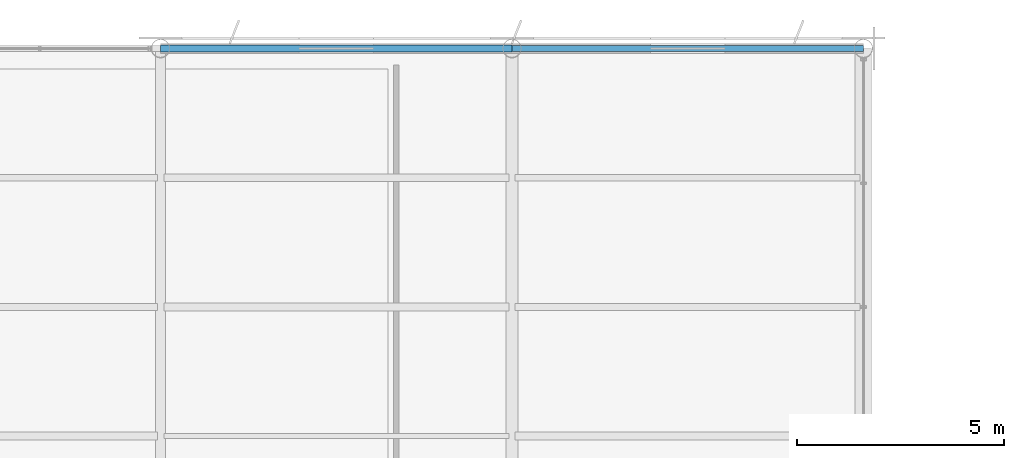
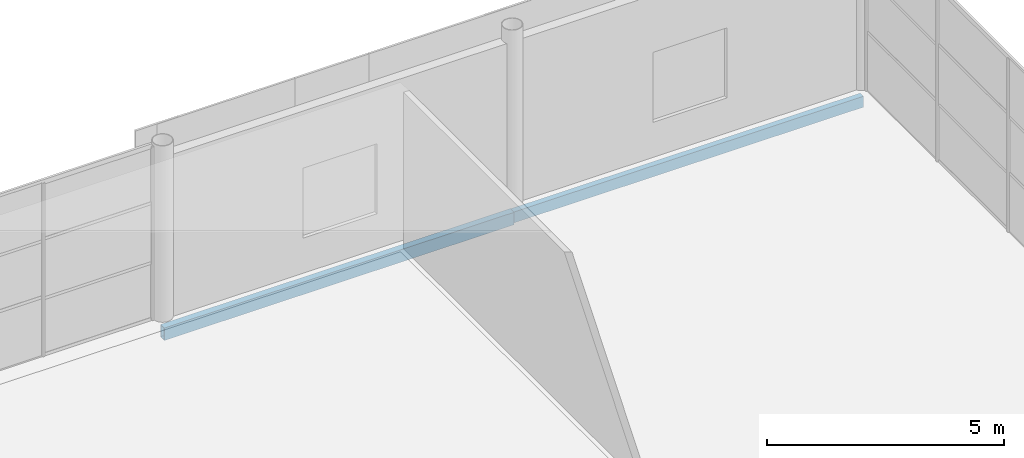
# One storey, part 44 of 101: 2 beams.
"""IFC4 building model written with IfcOpenShell, lengths in metres."""

from ifc_helpers import new_model, si_unit, direction, frame, origin, origin_2d, place, context, subcontext, project, spatial, hollow_rectangle, extrude, material, material_profile, profile_set, type_object, element, save


model = new_model("IFC4")

# Units and contexts
model_context = context("Model", 3, precision=1e-05, world=origin(), true_north=direction((0.0, 1.0)))
body_context = subcontext(model_context, "Body", "Model", "MODEL_VIEW")
ifc_project = project(units=[si_unit("LENGTHUNIT", "METRE"), si_unit("AREAUNIT", "SQUARE_METRE"), si_unit("VOLUMEUNIT", "CUBIC_METRE"), si_unit("PLANEANGLEUNIT", "RADIAN"), si_unit("MASSUNIT", "GRAM", prefix="KILO")], contexts=[model_context])

# Site, building, storey
site_placement = place(None, origin())
site = spatial("IfcSite", under=ifc_project, at=site_placement, CompositionType="ELEMENT")
building_placement = place(site_placement, origin())
building = spatial("IfcBuilding", under=site, at=building_placement, Name="Solvikara Media Centre", CompositionType="ELEMENT")
storey_placement = place(building_placement, frame((0.0, 0.0, 10.199951171875)))
storey = spatial("IfcBuildingStorey", under=building, at=storey_placement, Name="L02", CompositionType="ELEMENT", Elevation=10.199951171875)

# Beams
ifc_material = material(Name="Steel S355JR", Category="steel")
ifc_material_profile_1 = material_profile(ifc_material, hollow_rectangle(XDim=0.159912109375, YDim=0.320068359375, WallThickness=0.010009765625, at=origin_2d()), Name="RHS 320x160x10")
ifc_profile_set_1 = profile_set([ifc_material_profile_1], Name="Steel S355JR")
beam_type_1 = type_object("IfcBeamType", Name="BM-45", PredefinedType="SPANDREL", material=ifc_profile_set_1)
beam_1_placement = place(storey_placement, frame((17.0, 114.0, -0.421875), z_axis=(1.0, 0.0, 0.0), x_axis=(0.0, 1.0, 0.0)))
element("IfcBeam", 1, at=beam_1_placement, inside=storey, type_object=beam_type_1, Name="B-L02-X0903", PredefinedType="SPANDREL", context=body_context, shape_type="SweptSolid", body=[
    extrude(hollow_rectangle(XDim=0.159912109375, YDim=0.320068359375, WallThickness=0.010009765625, at=origin_2d()), origin(), (0.0, 0.0, 1.0), 8.5),
])
ifc_material_profile_2 = material_profile(ifc_material, hollow_rectangle(XDim=0.139892578125, YDim=0.280029296875, WallThickness=0.008056640625, at=origin_2d()), Name="RHS 280x140x8")
ifc_profile_set_2 = profile_set([ifc_material_profile_2], Name="Steel S355JR")
beam_type_2 = type_object("IfcBeamType", Name="BM-46", PredefinedType="SPANDREL", material=ifc_profile_set_2)
beam_2_placement = place(storey_placement, frame((25.5, 114.0, -0.40185546875), z_axis=(1.0, 0.0, 0.0), x_axis=(0.0, 1.0, 0.0)))
element("IfcBeam", 2, at=beam_2_placement, inside=storey, type_object=beam_type_2, Name="B-L02-X0904", PredefinedType="SPANDREL", context=body_context, shape_type="SweptSolid", body=[
    extrude(hollow_rectangle(XDim=0.139892578125, YDim=0.280029296875, WallThickness=0.008056640625, at=origin_2d()), origin(), (0.0, 0.0, 1.0), 8.5),
])

save(model, "model.ifc")
